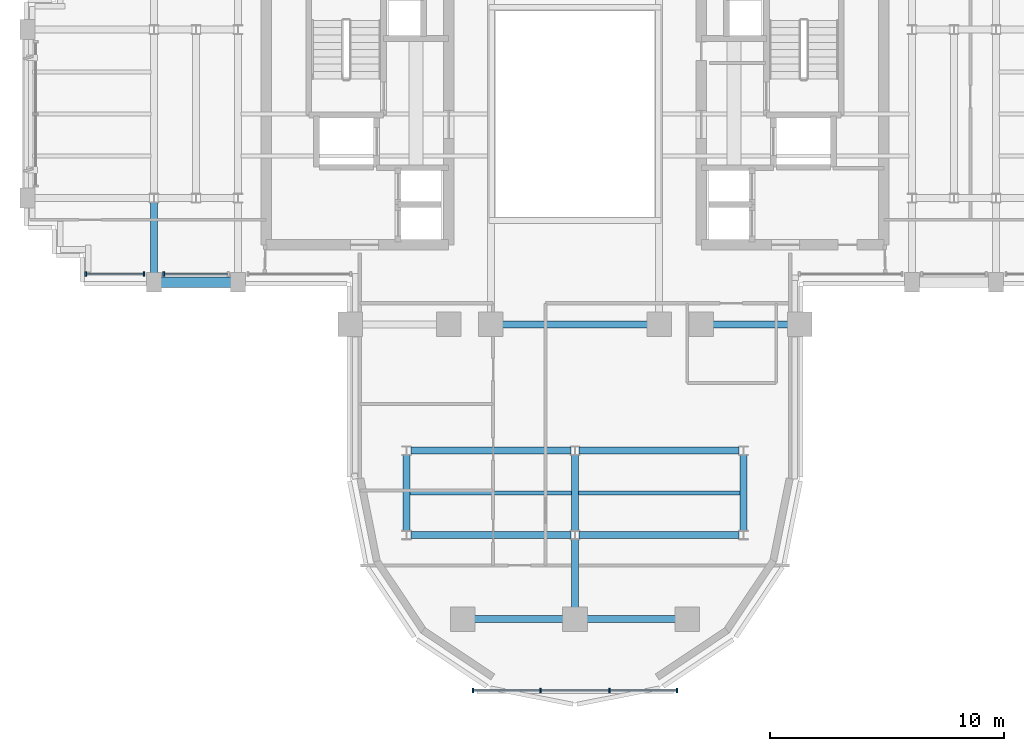
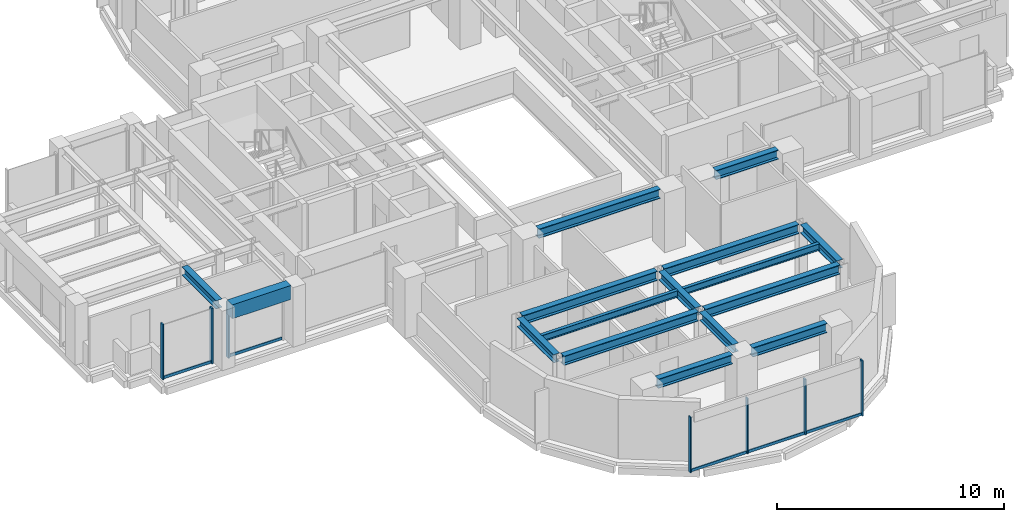
# One storey, part 3 of 14: 16 beams, 12 members, 3 elements without a shape of their own.
"""IFC4 building model written with IfcOpenShell, lengths in metres."""

from ifc_helpers import new_model, si_unit, direction, frame, origin, origin_2d, place, context, subcontext, project, spatial, rectangle, i_section, extrude, source, transform, mapped, material, material_profile, profile_set, type_object, element, aggregate, save


model = new_model("IFC4")

# Units and contexts
model_context = context("Model", 3, precision=1e-05, world=origin(), true_north=direction((0.0, 1.0)))
body_context = subcontext(model_context, "Body", "Model", "MODEL_VIEW")
ifc_project = project(units=[si_unit("LENGTHUNIT", "METRE"), si_unit("AREAUNIT", "SQUARE_METRE"), si_unit("VOLUMEUNIT", "CUBIC_METRE"), si_unit("PLANEANGLEUNIT", "RADIAN"), si_unit("MASSUNIT", "GRAM", prefix="KILO")], contexts=[model_context])

# Site, building, storey
site_placement = place(None, origin())
site = spatial("IfcSite", under=ifc_project, at=site_placement, CompositionType="ELEMENT")
building_placement = place(site_placement, origin())
building = spatial("IfcBuilding", under=site, at=building_placement, Name="Keilestroom Media Tower", CompositionType="ELEMENT")
storey_placement = place(building_placement, frame((0.0, 0.0, 134.60009765625)))
storey = spatial("IfcBuildingStorey", under=building, at=storey_placement, Name="L36", CompositionType="ELEMENT", Elevation=134.60009765625)

# Beams
ifc_material_1 = material(Name="Steel S355", Category="steel")
ifc_material_profile_1 = material_profile(ifc_material_1, i_section(OverallWidth=0.169921875, OverallDepth=0.360107421875, WebThickness=0.008056640625, FlangeThickness=0.0126953125, at=origin_2d()), Name="IPE 360")
ifc_profile_set_1 = profile_set([ifc_material_profile_1], Name="Steel S355")
beam_type_1 = type_object("IfcBeamType", Name="Secondary-Floor-Joist-IPE-360", PredefinedType="JOIST", material=ifc_profile_set_1)
shared_shape_1 = source(origin(), body_context, "Body", "SweptSolid", [
    extrude(i_section(OverallWidth=0.169921875, OverallDepth=0.360107421875, WebThickness=0.008056640625, FlangeThickness=0.0126953125, at=origin_2d()), origin(), (0.0, 0.0, 1.0), 6.940185546875),
])
for number, where, z_axis, x_axis, name in (
    (1, (-7.070068359375, -16.199951171875, 3.02001953125), (1.0, 0.0, 0.0), (0.0, 1.0, 0.0), "L36 Beam BJ-5 JST-L36-069"),
    (2, (0.1298828125, -16.199951171875, 3.02001953125), (1.0, 0.0, 0.0), (0.0, 1.0, 0.0), "L36 Beam BJ-5 JST-L36-070"),
):
    element("IfcBeam", number, at=place(storey_placement, frame(where, z_axis=z_axis, x_axis=x_axis)), inside=storey, type_object=beam_type_1, Name=name, PredefinedType="JOIST", context=body_context, shape_type="MappedRepresentation", body=[
        mapped(shared_shape_1, transform((0.0, 0.0, 0.0), x_axis=(1.0, 0.0, 0.0), y_axis=(0.0, 1.0, 0.0), z_axis=(0.0, 0.0, 1.0), scale=1.0)),
    ])
ifc_material_profile_2 = material_profile(ifc_material_1, i_section(OverallWidth=0.300048828125, OverallDepth=0.5, WebThickness=0.012451171875, FlangeThickness=0.028076171875, at=origin_2d()), Name="HEB 500")
ifc_profile_set_2 = profile_set([ifc_material_profile_2], Name="Steel S355")
beam_type_2 = type_object("IfcBeamType", Name="Primary-Structural-Girder-HEB-500", PredefinedType="BEAM", material=ifc_profile_set_2)
shared_shape_2 = source(origin(), body_context, "Body", "SweptSolid", [
    extrude(i_section(OverallWidth=0.300048828125, OverallDepth=0.5, WebThickness=0.012451171875, FlangeThickness=0.028076171875, at=origin_2d()), origin(), (0.0, 0.0, 1.0), 3.7900390625),
])
for number, where, z_axis, x_axis, name in (
    (3, (-4.294921875, -21.60009765625, 2.949951171875), (1.0, 0.0, 0.0), (0.0, 1.0, 0.0), "L36 Beam BG-6 BM-L36-EW-001"),
    (4, (0.5048828125, -21.60009765625, 2.949951171875), (1.0, 0.0, 0.0), (0.0, 1.0, 0.0), "L36 Beam BG-6 BM-L36-EW-002"),
):
    element("IfcBeam", number, at=place(storey_placement, frame(where, z_axis=z_axis, x_axis=x_axis)), inside=storey, type_object=beam_type_2, Name=name, PredefinedType="BEAM", context=body_context, shape_type="MappedRepresentation", body=[
        mapped(shared_shape_2, transform((0.0, 0.0, 0.0), x_axis=(1.0, 0.0, 0.0), y_axis=(0.0, 1.0, 0.0), z_axis=(0.0, 0.0, 1.0), scale=1.0)),
    ])
shared_shape_3 = source(origin(), body_context, "Body", "SweptSolid", [
    extrude(i_section(OverallWidth=0.300048828125, OverallDepth=0.5, WebThickness=0.012451171875, FlangeThickness=0.028076171875, at=origin_2d()), origin(), (0.0, 0.0, 1.0), 6.839111328125),
])
for number, where, z_axis, x_axis, name in (
    (5, (-7.01953125, -18.0, 2.949951171875), (1.0, 0.0, 0.0), (0.0, 1.0, 0.0), "L36 Beam BG-6 BM-L36-EW-003"),
    (6, (0.180419921875, -18.0, 2.949951171875), (1.0, 0.0, 0.0), (0.0, 1.0, 0.0), "L36 Beam BG-6 BM-L36-EW-004"),
    (7, (-7.01953125, -14.39990234375, 2.949951171875), (1.0, 0.0, 0.0), (0.0, 1.0, 0.0), "L36 Beam BG-6 BM-L36-EW-005"),
    (8, (0.180419921875, -14.39990234375, 2.949951171875), (1.0, 0.0, 0.0), (0.0, 1.0, 0.0), "L36 Beam BG-6 BM-L36-EW-006"),
):
    element("IfcBeam", number, at=place(storey_placement, frame(where, z_axis=z_axis, x_axis=x_axis)), inside=storey, type_object=beam_type_2, Name=name, PredefinedType="BEAM", context=body_context, shape_type="MappedRepresentation", body=[
        mapped(shared_shape_3, transform((0.0, 0.0, 0.0), x_axis=(1.0, 0.0, 0.0), y_axis=(0.0, 1.0, 0.0), z_axis=(0.0, 0.0, 1.0), scale=1.0)),
    ])
shared_shape_4 = source(origin(), body_context, "Body", "SweptSolid", [
    extrude(i_section(OverallWidth=0.300048828125, OverallDepth=0.5, WebThickness=0.012451171875, FlangeThickness=0.028076171875, at=origin_2d()), origin(), (0.0, 0.0, 1.0), 3.18994140625),
])
beam_1_placement = place(storey_placement, frame((5.905029296875, -9.0, 2.949951171875), z_axis=(1.0, 0.0, 0.0), x_axis=(0.0, 1.0, 0.0)))
element("IfcBeam", 9, at=beam_1_placement, inside=storey, type_object=beam_type_2, Name="L36 Beam BG-6 BM-L36-EW-011", PredefinedType="BEAM", context=body_context, shape_type="MappedRepresentation", body=[
    mapped(shared_shape_4, transform((0.0, 0.0, 0.0), x_axis=(1.0, 0.0, 0.0), y_axis=(0.0, 1.0, 0.0), z_axis=(0.0, 0.0, 1.0), scale=1.0)),
])
shared_shape_5 = source(origin(), body_context, "Body", "SweptSolid", [
    extrude(i_section(OverallWidth=0.300048828125, OverallDepth=0.5, WebThickness=0.012451171875, FlangeThickness=0.028076171875, at=origin_2d()), origin(), (0.0, 0.0, 1.0), 6.18994140625),
])
beam_2_placement = place(storey_placement, frame((-3.094970703125, -9.0, 2.949951171875), z_axis=(1.0, 0.0, 0.0), x_axis=(0.0, 1.0, 0.0)))
element("IfcBeam", 10, at=beam_2_placement, inside=storey, type_object=beam_type_2, Name="L36 Beam BG-6 BM-L36-EW-009", PredefinedType="BEAM", context=body_context, shape_type="MappedRepresentation", body=[
    mapped(shared_shape_5, transform((0.0, 0.0, 0.0), x_axis=(1.0, 0.0, 0.0), y_axis=(0.0, 1.0, 0.0), z_axis=(0.0, 0.0, 1.0), scale=1.0)),
])
ifc_material_2 = material(Name="Precast concrete C40/50", Category="concrete")
ifc_material_profile_3 = material_profile(ifc_material_2, rectangle(XDim=0.449951171875, YDim=0.75, at=origin_2d()), Name="PC 450x750")
ifc_profile_set_3 = profile_set([ifc_material_profile_3], Name="Precast concrete C40/50")
beam_type_3 = type_object("IfcBeamType", Name="Perimeter-Spandrel-Beam-PC-450x750", PredefinedType="SPANDREL", material=ifc_profile_set_3)
shared_shape_6 = source(origin(), body_context, "Body", "SweptSolid", [
    extrude(rectangle(XDim=0.449951171875, YDim=0.75, at=origin_2d()), origin(), (0.0, 0.0, 1.0), 2.989990234375),
])
beam_3_placement = place(storey_placement, frame((-17.695068359375, -7.199951171875, 2.824951171875), z_axis=(1.0, 0.0, 0.0), x_axis=(0.0, 1.0, 0.0)))
element("IfcBeam", 11, at=beam_3_placement, inside=storey, type_object=beam_type_3, Name="L36 Beam SPB-1 BM-L36-EW-012", PredefinedType="SPANDREL", context=body_context, shape_type="MappedRepresentation", body=[
    mapped(shared_shape_6, transform((0.0, 0.0, 0.0), x_axis=(1.0, 0.0, 0.0), y_axis=(0.0, 1.0, 0.0), z_axis=(0.0, 0.0, 1.0), scale=1.0)),
])
ifc_material_profile_4 = material_profile(ifc_material_1, i_section(OverallWidth=0.300048828125, OverallDepth=0.449951171875, WebThickness=0.011962890625, FlangeThickness=0.02587890625, at=origin_2d()), Name="HEB 450")
ifc_profile_set_4 = profile_set([ifc_material_profile_4], Name="Steel S355")
beam_type_4 = type_object("IfcBeamType", Name="Primary-Structural-Girder-HEB-450", PredefinedType="BEAM", material=ifc_profile_set_4)
shared_shape_7 = source(origin(), body_context, "Body", "SweptSolid", [
    extrude(i_section(OverallWidth=0.300048828125, OverallDepth=0.449951171875, WebThickness=0.011962890625, FlangeThickness=0.02587890625, at=origin_2d()), origin(), (0.0, 0.0, 1.0), 3.015380859375),
])
beam_4_placement = place(storey_placement, frame((-18.0, -6.794921875, 2.974853515625), z_axis=(0.0, 1.0, 0.0), x_axis=(-1.0, 0.0, 0.0)))
element("IfcBeam", 12, at=beam_4_placement, inside=storey, type_object=beam_type_4, Name="L36 Beam BG-7 BM-L36-NS-040", PredefinedType="BEAM", context=body_context, shape_type="MappedRepresentation", body=[
    mapped(shared_shape_7, transform((0.0, 0.0, 0.0), x_axis=(1.0, 0.0, 0.0), y_axis=(0.0, 1.0, 0.0), z_axis=(0.0, 0.0, 1.0), scale=1.0)),
])
shared_shape_8 = source(origin(), body_context, "Body", "SweptSolid", [
    extrude(i_section(OverallWidth=0.300048828125, OverallDepth=0.449951171875, WebThickness=0.011962890625, FlangeThickness=0.02587890625, at=origin_2d()), origin(), (0.0, 0.0, 1.0), 3.240966796875),
])
for number, where, z_axis, x_axis, name in (
    (13, (-7.199951171875, -17.820556640625, 2.974853515625), (0.0, 1.0, 0.0), (-1.0, 0.0, 0.0), "L36 Beam BG-7 BM-L36-NS-048"),
    (14, (0.0, -17.820556640625, 2.974853515625), (0.0, 1.0, 0.0), (-1.0, 0.0, 0.0), "L36 Beam BG-7 BM-L36-NS-053"),
    (15, (7.199951171875, -17.820556640625, 2.974853515625), (0.0, 1.0, 0.0), (-1.0, 0.0, 0.0), "L36 Beam BG-7 BM-L36-NS-058"),
):
    element("IfcBeam", number, at=place(storey_placement, frame(where, z_axis=z_axis, x_axis=x_axis)), inside=storey, type_object=beam_type_4, Name=name, PredefinedType="BEAM", context=body_context, shape_type="MappedRepresentation", body=[
        mapped(shared_shape_8, transform((0.0, 0.0, 0.0), x_axis=(1.0, 0.0, 0.0), y_axis=(0.0, 1.0, 0.0), z_axis=(0.0, 0.0, 1.0), scale=1.0)),
    ])
shared_shape_9 = source(origin(), body_context, "Body", "SweptSolid", [
    extrude(i_section(OverallWidth=0.300048828125, OverallDepth=0.449951171875, WebThickness=0.011962890625, FlangeThickness=0.02587890625, at=origin_2d()), origin(), (0.0, 0.0, 1.0), 2.91552734375),
])
beam_5_placement = place(storey_placement, frame((0.0, -21.094970703125, 2.974853515625), z_axis=(0.0, 1.0, 0.0), x_axis=(-1.0, 0.0, 0.0)))
element("IfcBeam", 16, at=beam_5_placement, inside=storey, type_object=beam_type_4, Name="L36 Beam BG-7 BM-L36-NS-052", PredefinedType="BEAM", context=body_context, shape_type="MappedRepresentation", body=[
    mapped(shared_shape_9, transform((0.0, 0.0, 0.0), x_axis=(1.0, 0.0, 0.0), y_axis=(0.0, 1.0, 0.0), z_axis=(0.0, 0.0, 1.0), scale=1.0)),
])

# Curtain wall, members
ifc_material_3 = material(Name="Anodised Aluminium Alloy", Category="aluminium")
curtain_wall_type_1 = type_object("IfcCurtainWallType", Name="Unitised-Curtain-Wall-CW-6", PredefinedType="NOTDEFINED", material=ifc_material_3)
curtain_wall_1_placement = place(storey_placement, origin())
curtain_wall_1 = element("IfcCurtainWall", 17, at=curtain_wall_1_placement, inside=storey, type_object=curtain_wall_type_1, Name="L36 Curtain Wall CW-6 CW-L36-LS-1", PredefinedType="NOTDEFINED")
ifc_material_profile_5 = material_profile(ifc_material_3, rectangle(XDim=0.06494140625, YDim=0.179931640625, at=origin_2d()), Name="ALU MULLION 65x180")
ifc_profile_set_5 = profile_set([ifc_material_profile_5], Name="Anodised Aluminium Alloy")
member_type_1 = type_object("IfcMemberType", Name="Curtain-Wall-Mullion-CW-6", PredefinedType="MULLION", material=ifc_profile_set_5)
shared_shape_10 = source(origin(), body_context, "Body", "SweptSolid", [
    extrude(rectangle(XDim=0.06494140625, YDim=0.179931640625, at=origin_2d()), origin(), (0.0, 0.0, 1.0), 2.97998046875),
])
member_1_placement = place(storey_placement, frame((-4.367431640625, -24.64990234375, 0.0), z_axis=(0.0, 0.0, 1.0), x_axis=(1.0, 0.0, 0.0)))
member_1 = element("IfcMember", 18, at=member_1_placement, type_object=member_type_1, Name="CW-6 Mullion 00", PredefinedType="MULLION", context=body_context, shape_type="MappedRepresentation", body=[
    mapped(shared_shape_10, transform((0.0, 0.0, 0.0), x_axis=(1.0, 0.0, 0.0), y_axis=(0.0, 1.0, 0.0), z_axis=(0.0, 0.0, 1.0), scale=1.0)),
])
member_2_placement = place(storey_placement, frame((-1.466796875, -24.64990234375, 0.0), z_axis=(0.0, 0.0, 1.0), x_axis=(1.0, 0.0, 0.0)))
member_2 = element("IfcMember", 19, at=member_2_placement, type_object=member_type_1, Name="CW-6 Mullion 01", PredefinedType="MULLION", context=body_context, shape_type="MappedRepresentation", body=[
    mapped(shared_shape_10, transform((0.0, 0.0, 0.0), x_axis=(1.0, 0.0, 0.0), y_axis=(0.0, 1.0, 0.0), z_axis=(0.0, 0.0, 1.0), scale=1.0)),
])
member_3_placement = place(storey_placement, frame((1.466796875, -24.64990234375, 0.0), z_axis=(0.0, 0.0, 1.0), x_axis=(1.0, 0.0, 0.0)))
member_3 = element("IfcMember", 20, at=member_3_placement, type_object=member_type_1, Name="CW-6 Mullion 02", PredefinedType="MULLION", context=body_context, shape_type="MappedRepresentation", body=[
    mapped(shared_shape_10, transform((0.0, 0.0, 0.0), x_axis=(1.0, 0.0, 0.0), y_axis=(0.0, 1.0, 0.0), z_axis=(0.0, 0.0, 1.0), scale=1.0)),
])
member_4_placement = place(storey_placement, frame((4.367431640625, -24.64990234375, 0.0), z_axis=(0.0, 0.0, 1.0), x_axis=(1.0, 0.0, 0.0)))
member_4 = element("IfcMember", 21, at=member_4_placement, type_object=member_type_1, Name="CW-6 Mullion 03", PredefinedType="MULLION", context=body_context, shape_type="MappedRepresentation", body=[
    mapped(shared_shape_10, transform((0.0, 0.0, 0.0), x_axis=(1.0, 0.0, 0.0), y_axis=(0.0, 1.0, 0.0), z_axis=(0.0, 0.0, 1.0), scale=1.0)),
])
ifc_material_profile_6 = material_profile(ifc_material_3, rectangle(XDim=0.06494140625, YDim=0.14990234375, at=origin_2d()), Name="ALU TRANSOM 65x150")
ifc_profile_set_6 = profile_set([ifc_material_profile_6], Name="Anodised Aluminium Alloy")
member_type_2 = type_object("IfcMemberType", Name="Curtain-Wall-Transom-CW-6", PredefinedType="USERDEFINED", material=ifc_profile_set_6)
shared_shape_11 = source(origin(), body_context, "Body", "SweptSolid", [
    extrude(rectangle(XDim=0.06494140625, YDim=0.14990234375, at=origin_2d()), origin(), (0.0, 0.0, 1.0), 2.839599609375),
])
member_5_placement = place(storey_placement, frame((-4.3369140625, -24.64990234375, 0.074951171875), z_axis=(1.0, 0.0, 0.0), x_axis=(0.0, 1.0, 0.0)))
member_5 = element("IfcMember", 22, at=member_5_placement, type_object=member_type_2, Name="CW-6 Transom 00.1", ObjectType="TRANSOM", PredefinedType="USERDEFINED", context=body_context, shape_type="MappedRepresentation", body=[
    mapped(shared_shape_11, transform((0.0, 0.0, 0.0), x_axis=(1.0, 0.0, 0.0), y_axis=(0.0, 1.0, 0.0), z_axis=(0.0, 0.0, 1.0), scale=1.0)),
])
member_6_placement = place(storey_placement, frame((1.497314453125, -24.64990234375, 0.074951171875), z_axis=(1.0, 0.0, 0.0), x_axis=(0.0, 1.0, 0.0)))
member_6 = element("IfcMember", 23, at=member_6_placement, type_object=member_type_2, Name="CW-6 Transom 02.1", ObjectType="TRANSOM", PredefinedType="USERDEFINED", context=body_context, shape_type="MappedRepresentation", body=[
    mapped(shared_shape_11, transform((0.0, 0.0, 0.0), x_axis=(1.0, 0.0, 0.0), y_axis=(0.0, 1.0, 0.0), z_axis=(0.0, 0.0, 1.0), scale=1.0)),
])
shared_shape_12 = source(origin(), body_context, "Body", "SweptSolid", [
    extrude(rectangle(XDim=0.06494140625, YDim=0.14990234375, at=origin_2d()), origin(), (0.0, 0.0, 1.0), 2.87255859375),
])
member_7_placement = place(storey_placement, frame((-1.436279296875, -24.64990234375, 0.074951171875), z_axis=(1.0, 0.0, 0.0), x_axis=(0.0, 1.0, 0.0)))
member_7 = element("IfcMember", 24, at=member_7_placement, type_object=member_type_2, Name="CW-6 Transom 01.1", ObjectType="TRANSOM", PredefinedType="USERDEFINED", context=body_context, shape_type="MappedRepresentation", body=[
    mapped(shared_shape_12, transform((0.0, 0.0, 0.0), x_axis=(1.0, 0.0, 0.0), y_axis=(0.0, 1.0, 0.0), z_axis=(0.0, 0.0, 1.0), scale=1.0)),
])
aggregate(curtain_wall_1, [member_1, member_2, member_3, member_4, member_5, member_7, member_6])

curtain_wall_type_2 = type_object("IfcCurtainWallType", Name="Unitised-Curtain-Wall-CW-2", PredefinedType="NOTDEFINED", material=ifc_material_3)
curtain_wall_2_placement = place(storey_placement, origin())
curtain_wall_2 = element("IfcCurtainWall", 25, at=curtain_wall_2_placement, inside=storey, type_object=curtain_wall_type_2, Name="L36 Curtain Wall CW-2 CW-L36-SW-1", PredefinedType="NOTDEFINED")
ifc_material_profile_7 = material_profile(ifc_material_3, rectangle(XDim=0.070068359375, YDim=0.199951171875, at=origin_2d()), Name="ALU MULLION 70x200")
ifc_profile_set_7 = profile_set([ifc_material_profile_7], Name="Anodised Aluminium Alloy")
member_type_3 = type_object("IfcMemberType", Name="Curtain-Wall-Mullion-CW-2", PredefinedType="MULLION", material=ifc_profile_set_7)
shared_shape_13 = source(origin(), body_context, "Body", "SweptSolid", [
    extrude(rectangle(XDim=0.070068359375, YDim=0.199951171875, at=origin_2d()), origin(), (0.0, 0.0, 1.0), 2.97998046875),
])
member_8_placement = place(storey_placement, frame((-20.9150390625, -6.85009765625, 0.0), z_axis=(0.0, 0.0, 1.0), x_axis=(1.0, 0.0, 0.0)))
member_8 = element("IfcMember", 26, at=member_8_placement, type_object=member_type_3, Name="CW-2 Mullion 00", PredefinedType="MULLION", context=body_context, shape_type="MappedRepresentation", body=[
    mapped(shared_shape_13, transform((0.0, 0.0, 0.0), x_axis=(1.0, 0.0, 0.0), y_axis=(0.0, 1.0, 0.0), z_axis=(0.0, 0.0, 1.0), scale=1.0)),
])
member_9_placement = place(storey_placement, frame((-18.419921875, -6.85009765625, 0.0), z_axis=(0.0, 0.0, 1.0), x_axis=(1.0, 0.0, 0.0)))
member_9 = element("IfcMember", 27, at=member_9_placement, type_object=member_type_3, Name="CW-2 Mullion 01", PredefinedType="MULLION", context=body_context, shape_type="MappedRepresentation", body=[
    mapped(shared_shape_13, transform((0.0, 0.0, 0.0), x_axis=(1.0, 0.0, 0.0), y_axis=(0.0, 1.0, 0.0), z_axis=(0.0, 0.0, 1.0), scale=1.0)),
])

# Curtain wall, member
curtain_wall_3_placement = place(storey_placement, origin())
curtain_wall_3 = element("IfcCurtainWall", 28, at=curtain_wall_3_placement, inside=storey, type_object=curtain_wall_type_2, Name="L36 Curtain Wall CW-2 CW-L36-SW-2", PredefinedType="NOTDEFINED")
member_10_placement = place(storey_placement, frame((-17.580078125, -6.85009765625, 0.0), z_axis=(0.0, 0.0, 1.0), x_axis=(1.0, 0.0, 0.0)))
member_10 = element("IfcMember", 29, at=member_10_placement, type_object=member_type_3, Name="CW-2 Mullion 00", PredefinedType="MULLION", context=body_context, shape_type="MappedRepresentation", body=[
    mapped(shared_shape_13, transform((0.0, 0.0, 0.0), x_axis=(1.0, 0.0, 0.0), y_axis=(0.0, 1.0, 0.0), z_axis=(0.0, 0.0, 1.0), scale=1.0)),
])

# Member
ifc_material_profile_8 = material_profile(ifc_material_3, rectangle(XDim=0.06494140625, YDim=0.14990234375, at=origin_2d()), Name="ALU TRANSOM 65x150")
ifc_profile_set_8 = profile_set([ifc_material_profile_8], Name="Anodised Aluminium Alloy")
member_type_4 = type_object("IfcMemberType", Name="Curtain-Wall-Transom-CW-2", PredefinedType="USERDEFINED", material=ifc_profile_set_8)
shared_shape_14 = source(origin(), body_context, "Body", "SweptSolid", [
    extrude(rectangle(XDim=0.06494140625, YDim=0.14990234375, at=origin_2d()), origin(), (0.0, 0.0, 1.0), 2.42919921875),
])
member_11_placement = place(storey_placement, frame((-20.882080078125, -6.85009765625, 0.074951171875), z_axis=(1.0, 0.0, 0.0), x_axis=(0.0, 1.0, 0.0)))
member_11 = element("IfcMember", 30, at=member_11_placement, type_object=member_type_4, Name="CW-2 Transom 00.1", ObjectType="TRANSOM", PredefinedType="USERDEFINED", context=body_context, shape_type="MappedRepresentation", body=[
    mapped(shared_shape_14, transform((0.0, 0.0, 0.0), x_axis=(1.0, 0.0, 0.0), y_axis=(0.0, 1.0, 0.0), z_axis=(0.0, 0.0, 1.0), scale=1.0)),
])

aggregate(curtain_wall_2, [member_8, member_9, member_11])

shared_shape_15 = source(origin(), body_context, "Body", "SweptSolid", [
    extrude(rectangle(XDim=0.06494140625, YDim=0.14990234375, at=origin_2d()), origin(), (0.0, 0.0, 1.0), 2.694091796875),
])
member_12_placement = place(storey_placement, frame((-17.547119140625, -6.85009765625, 0.074951171875), z_axis=(1.0, 0.0, 0.0), x_axis=(0.0, 1.0, 0.0)))
member_12 = element("IfcMember", 31, at=member_12_placement, type_object=member_type_4, Name="CW-2 Transom 00.1", ObjectType="TRANSOM", PredefinedType="USERDEFINED", context=body_context, shape_type="MappedRepresentation", body=[
    mapped(shared_shape_15, transform((0.0, 0.0, 0.0), x_axis=(1.0, 0.0, 0.0), y_axis=(0.0, 1.0, 0.0), z_axis=(0.0, 0.0, 1.0), scale=1.0)),
])

aggregate(curtain_wall_3, [member_10, member_12])

save(model, "model.ifc")
